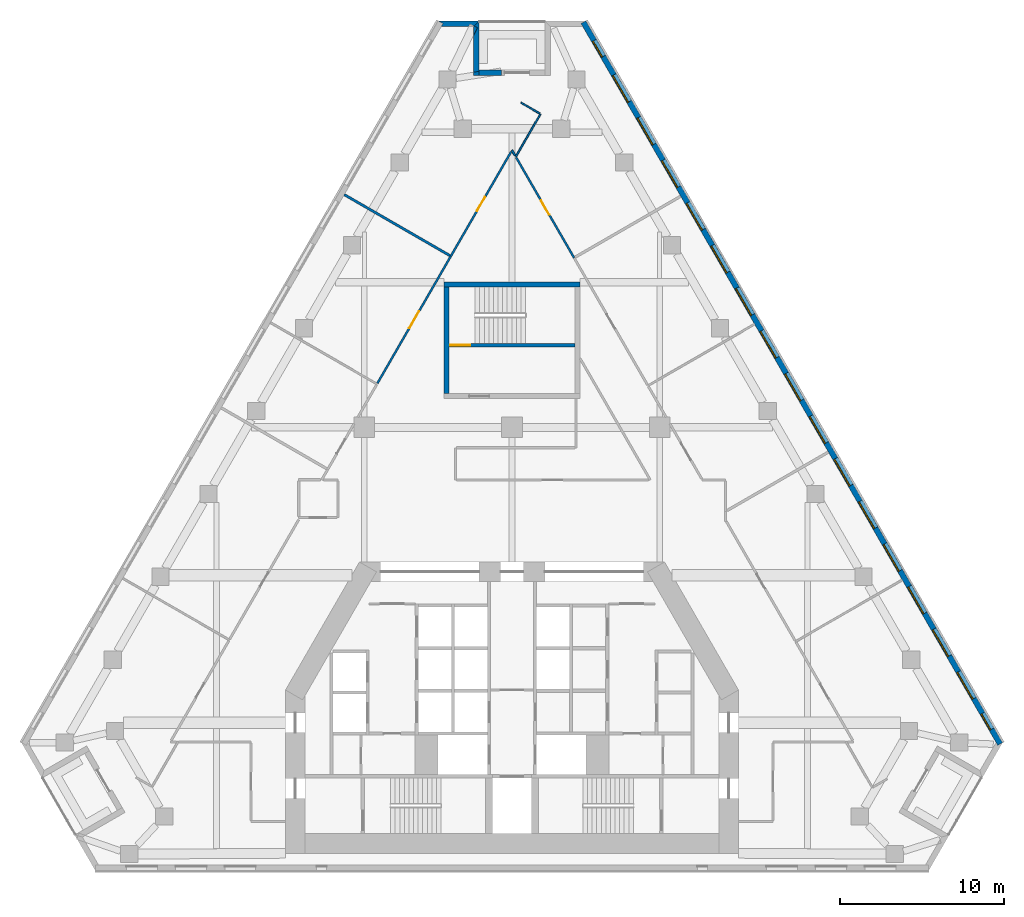
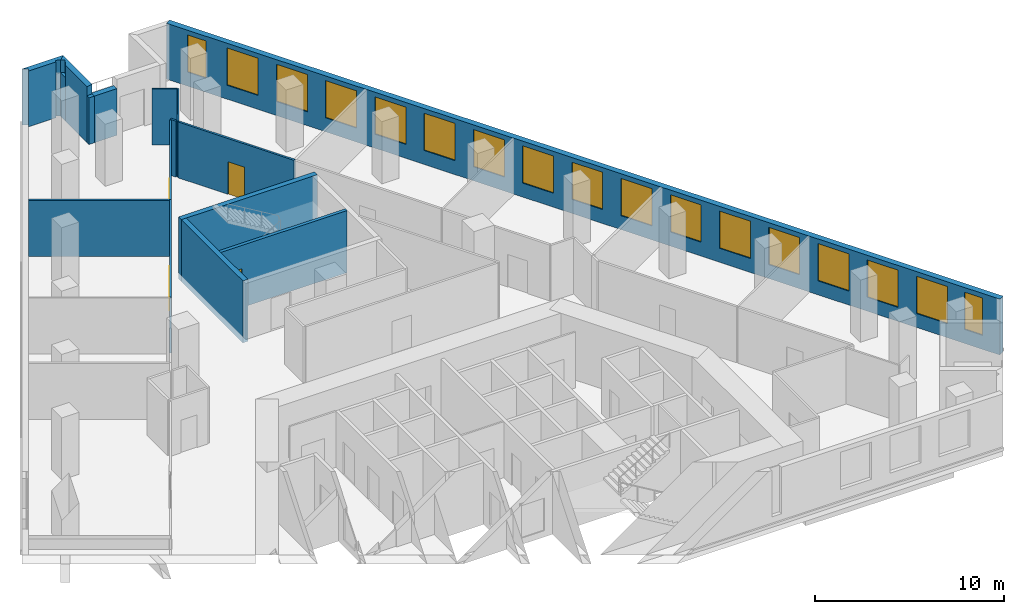
# One storey, part 8 of 10: 17 windows, 16 walls, 4 doors, 21 openings.
"""IFC4 building model written with IfcOpenShell, lengths in metres."""

import ifcopenshell
import ifcopenshell.guid

model = None  # the IFC model being written
_history = None  # IfcOwnerHistory: only IFC2X3 demands one
_inside = {}  # id of a spatial element -> (the spatial element, [elements in it])
_under = {}  # id of a project, library or spatial element -> (it, [spatial elements below it])
_declared = {}  # id of a project -> (the project, [libraries it declares])
_typed = {}  # id of a type object -> (the type object, [elements of that type])
_made_of = {}  # id of a material, layer set ... -> (it, [elements and type objects made of it])


def new_model(schema):
    """Start an empty IFC model of exactly this schema.

    Asked for "IFC4X3", IfcOpenShell would pick the latest addendum, in which some entities
    have other attributes; the version numbers below select the first issue.
    IFC2X3 requires an IfcOwnerHistory on every rooted entity: one is made here for all.
    """
    global model, _history
    if schema == "IFC4X3":
        model = ifcopenshell.file(schema_version=(4, 3, 0, 0))
    else:
        model = ifcopenshell.file(schema=schema)
    _inside.clear()
    _under.clear()
    _declared.clear()
    _typed.clear()
    _made_of.clear()
    _history = None
    if model.schema == "IFC2X3":
        org = make("IfcOrganization", Name="unknown")
        user = make(
            "IfcPersonAndOrganization",
            ThePerson=make("IfcPerson", FamilyName="unknown"),
            TheOrganization=org,
        )
        app = make(
            "IfcApplication",
            ApplicationDeveloper=org,
            Version="unknown",
            ApplicationFullName="unknown",
            ApplicationIdentifier="unknown",
        )
        _history = make(
            "IfcOwnerHistory",
            OwningUser=user,
            OwningApplication=app,
            ChangeAction="ADDED",
            CreationDate=0,
        )
    return model


def make(cls, **values):
    """One entity of the class cls with the attributes given. An attribute that is None is left unset."""
    return model.create_entity(
        cls, **{name: value for name, value in values.items() if value is not None}
    )


def rooted(cls, **values):
    """An entity with a GlobalId (a new one), such as an element, a storey or a relation."""
    return make(cls, GlobalId=ifcopenshell.guid.new(), OwnerHistory=_history, **values)


def si_unit(unit_type, name, prefix=None):
    """IfcSIUnit, for example si_unit("LENGTHUNIT", "METRE", prefix="MILLI")."""
    return make("IfcSIUnit", UnitType=unit_type, Prefix=prefix, Name=name)


def assignment(units):
    """IfcUnitAssignment: the units of a project."""
    return None if units is None else make("IfcUnitAssignment", Units=units)


def point(xyz):
    """IfcCartesianPoint."""
    return None if xyz is None else make("IfcCartesianPoint", Coordinates=xyz)


def direction(xyz):
    """IfcDirection."""
    return None if xyz is None else make("IfcDirection", DirectionRatios=xyz)


def frame(location, z_axis=None, x_axis=None):
    """IfcAxis2Placement3D, a coordinate frame: its origin and axes. An axis left out is left unset."""
    return make(
        "IfcAxis2Placement3D",
        Location=point(location),
        Axis=direction(z_axis),
        RefDirection=direction(x_axis),
    )


def frame_2d(location, x_axis=None):
    """IfcAxis2Placement2D, a coordinate frame in the plane: its origin and x axis."""
    return make(
        "IfcAxis2Placement2D", Location=point(location), RefDirection=direction(x_axis)
    )


def origin():
    """The frame at (0, 0, 0) with its axes left unset."""
    return frame((0.0, 0.0, 0.0))


def place(relative_to, where):
    """IfcLocalPlacement: puts the frame where relative to a parent placement (None: the world)."""
    return make(
        "IfcLocalPlacement", PlacementRelTo=relative_to, RelativePlacement=where
    )


def context(
    kind, dimensions, precision=None, world=None, true_north=None, identifier=None
):
    """IfcGeometricRepresentationContext, for example the 3D "Model" context."""
    return make(
        "IfcGeometricRepresentationContext",
        ContextIdentifier=identifier,
        ContextType=kind,
        CoordinateSpaceDimension=dimensions,
        Precision=precision,
        WorldCoordinateSystem=world,
        TrueNorth=true_north,
    )


def subcontext(parent, identifier, kind, view, scale=None):
    """IfcGeometricRepresentationSubContext, for example "Body" below "Model"."""
    return make(
        "IfcGeometricRepresentationSubContext",
        ContextIdentifier=identifier,
        ContextType=kind,
        ParentContext=parent,
        TargetScale=scale,
        TargetView=view,
    )


def project(units=None, contexts=None):
    """IfcProject with its units and contexts."""
    return rooted(
        "IfcProject",
        Name="project",
        RepresentationContexts=contexts,
        UnitsInContext=assignment(units),
    )


def spatial(cls, under=None, at=None, **own):
    """A site, building, storey or space (cls), placed at a placement, below another one or the project."""
    s = rooted(cls, ObjectPlacement=at, **own)
    if under is not None:
        _under.setdefault(under.id(), (under, []))[1].append(s)
    return s


def polyline(points):
    """IfcPolyline through the points."""
    return make("IfcPolyline", Points=[point(p) for p in points])


def profile(cls, at=None, kind="AREA", **sizes):
    """A parametric profile (cls). Its sizes go by their IFC names, for example OverallWidth=200.0."""
    return make(cls, ProfileType=kind, Position=at, **sizes)


def rectangle(**sizes):
    """IfcRectangleProfileDef."""
    return profile("IfcRectangleProfileDef", **sizes)


def outline(outer, holes=None, kind="AREA"):
    """IfcArbitraryClosedProfileDef: a profile drawn as a closed curve; with holes, ...WithVoids."""
    if holes is None:
        return make("IfcArbitraryClosedProfileDef", ProfileType=kind, OuterCurve=outer)
    return make(
        "IfcArbitraryProfileDefWithVoids",
        ProfileType=kind,
        OuterCurve=outer,
        InnerCurves=holes,
    )


def extrude(swept, where, along, depth):
    """IfcExtrudedAreaSolid: the profile swept, set in the frame where, extruded along a direction by depth."""
    return make(
        "IfcExtrudedAreaSolid",
        SweptArea=swept,
        Position=where,
        ExtrudedDirection=direction(along),
        Depth=depth,
    )


def shape(context_of_items, identifier, shape_type, items):
    """IfcShapeRepresentation: the items that make up one representation, for example the "Body"."""
    return make(
        "IfcShapeRepresentation",
        ContextOfItems=context_of_items,
        RepresentationIdentifier=identifier,
        RepresentationType=shape_type,
        Items=items,
    )


def material(Name=None, Category=None):
    """IfcMaterial."""
    return make("IfcMaterial", Name=Name, Category=Category)


def layer(
    of_material, thickness, ventilated=None, Name=None, Category=None, Priority=None
):
    """IfcMaterialLayer: one layer of a wall or slab, of a material (None: an air gap)."""
    return make(
        "IfcMaterialLayer",
        Material=of_material,
        LayerThickness=thickness,
        IsVentilated=ventilated,
        Name=Name,
        Category=Category,
        Priority=Priority,
    )


def layer_set(layers, Name=None):
    """IfcMaterialLayerSet."""
    return make("IfcMaterialLayerSet", MaterialLayers=layers, LayerSetName=Name)


def made_of(thing, what):
    """Note that an element or type object is made of a material, layer set ...; save() writes the relation."""
    if what is not None:
        _made_of.setdefault(what.id(), (what, []))[1].append(thing)
    return thing


def type_object(cls, material=None, **own):
    """A type object (cls), such as IfcWallType, which elements share."""
    return made_of(rooted(cls, **own), material)


def element(
    cls,
    number,
    at=None,
    inside=None,
    cuts=None,
    type_object=None,
    material=None,
    context=None,
    identifier="Body",
    shape_type=None,
    held_by="IfcProductDefinitionShape",
    body=None,
    shapes=None,
    **own,
):
    """One element of the class cls, such as IfcWall. Its Tag is "e" and its number.

    at: its placement. inside: the storey or other place that contains it. cuts: it is an
    opening in that element (IfcRelVoidsElement). A single representation is given by context,
    identifier, shape_type and body (its items); several are given by shapes. held_by: the class
    of the entity that holds the representations. save() writes the other relations.
    """
    e = rooted(cls, Tag="e%d" % number, ObjectPlacement=at, **own)
    if body is not None:
        shapes = [shape(context, identifier, shape_type, body)]
    if shapes is not None:
        e.Representation = make(held_by, Representations=shapes)
    if inside is not None:
        _inside.setdefault(inside.id(), (inside, []))[1].append(e)
    if cuts is not None:
        rooted(
            "IfcRelVoidsElement", RelatingBuildingElement=cuts, RelatedOpeningElement=e
        )
    if type_object is not None:
        _typed.setdefault(type_object.id(), (type_object, []))[1].append(e)
    return made_of(e, material)


def fill(opening, filler):
    """IfcRelFillsElement: the door or window that sits in an opening."""
    return rooted(
        "IfcRelFillsElement",
        RelatingOpeningElement=opening,
        RelatedBuildingElement=filler,
    )


def aggregate(whole, parts):
    """IfcRelAggregates: a whole, such as a stair, and the parts it consists of."""
    return rooted("IfcRelAggregates", RelatingObject=whole, RelatedObjects=parts)


def save(model, path):
    """Write the relations noted so far, then the file.

    IfcRelAggregates (storeys below a building ...), IfcRelContainedInSpatialStructure (elements
    in a storey), IfcRelDefinesByType, IfcRelAssociatesMaterial and IfcRelDeclares: one each for
    every whole, place, type object, material and project.
    """
    for whole, parts in _under.values():
        aggregate(whole, parts)
    for where, things in _inside.values():
        rooted(
            "IfcRelContainedInSpatialStructure",
            RelatedElements=things,
            RelatingStructure=where,
        )
    for kind, things in _typed.values():
        rooted("IfcRelDefinesByType", RelatedObjects=things, RelatingType=kind)
    for what, things in _made_of.values():
        rooted("IfcRelAssociatesMaterial", RelatedObjects=things, RelatingMaterial=what)
    for by, libraries in _declared.values():
        rooted("IfcRelDeclares", RelatingContext=by, RelatedDefinitions=libraries)
    model.write(path)


model = new_model("IFC4")

# Units and contexts
model_context = context("Model", 3, precision=1e-05, world=origin(), true_north=direction((0.0, 1.0)))
body_context = subcontext(model_context, "Body", "Model", "MODEL_VIEW")
ifc_project = project(units=[si_unit("LENGTHUNIT", "METRE"), si_unit("AREAUNIT", "SQUARE_METRE"), si_unit("VOLUMEUNIT", "CUBIC_METRE"), si_unit("PLANEANGLEUNIT", "RADIAN"), si_unit("MASSUNIT", "GRAM", prefix="KILO")], contexts=[model_context])

# Site, building, storey
site_placement = place(None, origin())
site = spatial("IfcSite", under=ifc_project, at=site_placement, CompositionType="ELEMENT")
building_placement = place(site_placement, origin())
building = spatial("IfcBuilding", under=site, at=building_placement, Name="Fogline Exchange Tower", CompositionType="ELEMENT")
storey_placement = place(building_placement, frame((0.0, 0.0, 128.10009765625)))
storey = spatial("IfcBuildingStorey", under=building, at=storey_placement, Name="L28", CompositionType="ELEMENT", Elevation=128.10009765625)

# Wall, opening, door
ifc_material_1 = material(Name="Concrete C40", Category="concrete")
ifc_layer_1 = layer(ifc_material_1, 0.199951171875)
ifc_layer_set_1 = layer_set([ifc_layer_1], Name="CW20R")
wall_type_1 = type_object("IfcWallType", Name="CW20R", PredefinedType="SOLIDWALL", material=ifc_layer_set_1)
wall_1_placement = place(storey_placement, frame((-3.85009765625, 32.007080078125, -0.400146484375), z_axis=(0.0, 0.0, 1.0), x_axis=(1.0, 0.0, 0.0)))
wall_1 = element("IfcWall", 1, at=wall_1_placement, inside=storey, type_object=wall_type_1, Name="Stair enclosure wall ST3", PredefinedType="SOLIDWALL", context=body_context, shape_type="SweptSolid", body=[
    extrude(rectangle(XDim=7.7001953125, YDim=0.199951171875, at=frame_2d((3.85009765625, 0.0))), origin(), (0.0, 0.0, 1.0), 4.0),
])
opening_1_placement = place(wall_1_placement, frame((0.10009765625, 0.0, 0.39990234375)))
opening_1 = element("IfcOpeningElement", 2, at=opening_1_placement, cuts=wall_1, Name="Opening T08-C024", PredefinedType="OPENING", context=body_context, shape_type="SweptSolid", body=[
    extrude(rectangle(XDim=1.199951171875, YDim=2.10009765625, at=frame_2d((0.60009765625, 1.050048828125))), frame((0.0, 0.10986328125, 0.0), z_axis=(0.0, -1.0, 0.0), x_axis=(1.0, 0.0, 0.0)), (0.0, 0.0, 1.0), 0.219970703125),
])
ifc_material_2 = material(Name="Steel and timber fire door", Category="steel")
door_type_1 = type_object("IfcDoorType", Name="D-ST1", OperationType="SINGLE_SWING_LEFT", PredefinedType="DOOR", material=ifc_material_2)
door_1_placement = place(opening_1_placement, origin())
door_1 = element("IfcDoor", 3, at=door_1_placement, inside=storey, type_object=door_type_1, Name="Stair door ST3", OperationType="SINGLE_SWING_LEFT", OverallHeight=2.10009765625, OverallWidth=1.199951171875, PredefinedType="DOOR", context=body_context, shape_type="SweptSolid", body=[
    extrude(rectangle(XDim=1.199951171875, YDim=2.10009765625, at=frame_2d((0.60009765625, 1.050048828125))), frame((0.0, 0.02490234375, 0.0), z_axis=(0.0, -1.0, 0.0), x_axis=(1.0, 0.0, 0.0)), (0.0, 0.0, 1.0), 0.050048828125),
])
fill(opening_1, door_1)

# Walls
ifc_layer_2 = layer(ifc_material_1, 0.300048828125)
ifc_layer_set_2 = layer_set([ifc_layer_2], Name="CW30")
wall_type_2 = type_object("IfcWallType", Name="CW30", PredefinedType="SOLIDWALL", material=ifc_layer_set_2)
wall_2_placement = place(storey_placement, frame((-4.14990234375, 35.70703125, -0.400146484375), z_axis=(0.0, 0.0, 1.0), x_axis=(1.0, 0.0, 0.0)))
element("IfcWall", 4, at=wall_2_placement, inside=storey, type_object=wall_type_2, Name="Stair enclosure wall ST3", PredefinedType="SOLIDWALL", context=body_context, shape_type="SweptSolid", body=[
    extrude(rectangle(XDim=8.2998046875, YDim=0.300048828125, at=frame_2d((4.14990234375, 0.0))), origin(), (0.0, 0.0, 1.0), 4.0),
])
wall_3_placement = place(storey_placement, frame((-4.0, 29.056884765625, -0.400146484375), z_axis=(0.0, 0.0, 1.0), x_axis=(0.0, 1.0, 0.0)))
element("IfcWall", 5, at=wall_3_placement, inside=storey, type_object=wall_type_2, Name="Stair enclosure wall ST3", PredefinedType="SOLIDWALL", context=body_context, shape_type="SweptSolid", body=[
    extrude(rectangle(XDim=6.5, YDim=0.300048828125, at=frame_2d((3.25, 0.0))), origin(), (0.0, 0.0, 1.0), 4.0),
])

# Wall, openings, windows
ifc_material_3 = material(Name="Brick masonry", Category="masonry")
ifc_layer_3 = layer(ifc_material_3, 0.340087890625)
ifc_layer_set_3 = layer_set([ifc_layer_3], Name="FW1")
wall_type_3 = type_object("IfcWallType", Name="FW1", PredefinedType="SOLIDWALL", material=ifc_layer_set_3)
wall_4_placement = place(storey_placement, frame((29.74609375, 7.709228515625, 0.0), z_axis=(0.0, 0.0, 1.0), x_axis=(-0.500000700546, 0.866024999324, 0.0)))
wall_4 = element("IfcWall", 6, at=wall_4_placement, inside=storey, type_object=wall_type_3, Name="Brick wall L28 E", PredefinedType="SOLIDWALL", context=body_context, shape_type="SweptSolid", body=[
    extrude(rectangle(XDim=50.78662109375, YDim=0.340087890625, at=frame_2d((25.393310546875, 0.0))), origin(), (0.0, 0.0, 1.0), 3.599853515625),
])
opening_2_placement = place(wall_4_placement, frame((3.196533203125, 0.0, 0.89990234375)))
opening_2 = element("IfcOpeningElement", 7, at=opening_2_placement, cuts=wall_4, Name="Opening W1", PredefinedType="OPENING", context=body_context, shape_type="SweptSolid", body=[
    extrude(rectangle(XDim=1.885009765625, YDim=2.39990234375, at=frame_2d((0.9423828125, 1.199951171875))), frame((0.0, 0.18017578125, 0.0), z_axis=(0.0, -1.0, 0.0), x_axis=(1.0, 0.0, 0.0)), (0.0, 0.0, 1.0), 0.360107421875),
])
opening_3_placement = place(wall_4_placement, frame((6.196533203125, 0.0, 0.89990234375)))
opening_3 = element("IfcOpeningElement", 8, at=opening_3_placement, cuts=wall_4, Name="Opening W1", PredefinedType="OPENING", context=body_context, shape_type="SweptSolid", body=[
    extrude(rectangle(XDim=1.885009765625, YDim=2.39990234375, at=frame_2d((0.9423828125, 1.199951171875))), frame((0.0, 0.18017578125, 0.0), z_axis=(0.0, -1.0, 0.0), x_axis=(1.0, 0.0, 0.0)), (0.0, 0.0, 1.0), 0.360107421875),
])
opening_4_placement = place(wall_4_placement, frame((9.196533203125, 0.0, 0.89990234375)))
opening_4 = element("IfcOpeningElement", 9, at=opening_4_placement, cuts=wall_4, Name="Opening W1", PredefinedType="OPENING", context=body_context, shape_type="SweptSolid", body=[
    extrude(rectangle(XDim=1.885009765625, YDim=2.39990234375, at=frame_2d((0.9423828125, 1.199951171875))), frame((0.0, 0.18017578125, 0.0), z_axis=(0.0, -1.0, 0.0), x_axis=(1.0, 0.0, 0.0)), (0.0, 0.0, 1.0), 0.360107421875),
])
opening_5_placement = place(wall_4_placement, frame((12.196533203125, 0.0, 0.89990234375)))
opening_5 = element("IfcOpeningElement", 10, at=opening_5_placement, cuts=wall_4, Name="Opening W1", PredefinedType="OPENING", context=body_context, shape_type="SweptSolid", body=[
    extrude(rectangle(XDim=1.885009765625, YDim=2.39990234375, at=frame_2d((0.9423828125, 1.199951171875))), frame((0.0, 0.18017578125, 0.0), z_axis=(0.0, -1.0, 0.0), x_axis=(1.0, 0.0, 0.0)), (0.0, 0.0, 1.0), 0.360107421875),
])
opening_6_placement = place(wall_4_placement, frame((15.196533203125, 0.0, 0.89990234375)))
opening_6 = element("IfcOpeningElement", 11, at=opening_6_placement, cuts=wall_4, Name="Opening W1", PredefinedType="OPENING", context=body_context, shape_type="SweptSolid", body=[
    extrude(rectangle(XDim=1.885009765625, YDim=2.39990234375, at=frame_2d((0.9423828125, 1.199951171875))), frame((0.0, 0.18017578125, 0.0), z_axis=(0.0, -1.0, 0.0), x_axis=(1.0, 0.0, 0.0)), (0.0, 0.0, 1.0), 0.360107421875),
])
opening_7_placement = place(wall_4_placement, frame((18.196533203125, 0.0, 0.89990234375)))
opening_7 = element("IfcOpeningElement", 12, at=opening_7_placement, cuts=wall_4, Name="Opening W1", PredefinedType="OPENING", context=body_context, shape_type="SweptSolid", body=[
    extrude(rectangle(XDim=1.885009765625, YDim=2.39990234375, at=frame_2d((0.9423828125, 1.199951171875))), frame((0.0, 0.18017578125, 0.0), z_axis=(0.0, -1.0, 0.0), x_axis=(1.0, 0.0, 0.0)), (0.0, 0.0, 1.0), 0.360107421875),
])
opening_8_placement = place(wall_4_placement, frame((21.196533203125, 0.0, 0.89990234375)))
opening_8 = element("IfcOpeningElement", 13, at=opening_8_placement, cuts=wall_4, Name="Opening W1", PredefinedType="OPENING", context=body_context, shape_type="SweptSolid", body=[
    extrude(rectangle(XDim=1.885009765625, YDim=2.39990234375, at=frame_2d((0.9423828125, 1.199951171875))), frame((0.0, 0.18017578125, 0.0), z_axis=(0.0, -1.0, 0.0), x_axis=(1.0, 0.0, 0.0)), (0.0, 0.0, 1.0), 0.360107421875),
])
opening_9_placement = place(wall_4_placement, frame((24.196533203125, 0.0, 0.89990234375)))
opening_9 = element("IfcOpeningElement", 14, at=opening_9_placement, cuts=wall_4, Name="Opening W1", PredefinedType="OPENING", context=body_context, shape_type="SweptSolid", body=[
    extrude(rectangle(XDim=1.885009765625, YDim=2.39990234375, at=frame_2d((0.9423828125, 1.199951171875))), frame((0.0, 0.18017578125, 0.0), z_axis=(0.0, -1.0, 0.0), x_axis=(1.0, 0.0, 0.0)), (0.0, 0.0, 1.0), 0.360107421875),
])
opening_10_placement = place(wall_4_placement, frame((27.196533203125, 0.0, 0.89990234375)))
opening_10 = element("IfcOpeningElement", 15, at=opening_10_placement, cuts=wall_4, Name="Opening W1", PredefinedType="OPENING", context=body_context, shape_type="SweptSolid", body=[
    extrude(rectangle(XDim=1.885009765625, YDim=2.39990234375, at=frame_2d((0.9423828125, 1.199951171875))), frame((0.0, 0.18017578125, 0.0), z_axis=(0.0, -1.0, 0.0), x_axis=(1.0, 0.0, 0.0)), (0.0, 0.0, 1.0), 0.360107421875),
])
opening_11_placement = place(wall_4_placement, frame((30.196533203125, 0.0, 0.89990234375)))
opening_11 = element("IfcOpeningElement", 16, at=opening_11_placement, cuts=wall_4, Name="Opening W1", PredefinedType="OPENING", context=body_context, shape_type="SweptSolid", body=[
    extrude(rectangle(XDim=1.885009765625, YDim=2.39990234375, at=frame_2d((0.9423828125, 1.199951171875))), frame((0.0, 0.18017578125, 0.0), z_axis=(0.0, -1.0, 0.0), x_axis=(1.0, 0.0, 0.0)), (0.0, 0.0, 1.0), 0.360107421875),
])
opening_12_placement = place(wall_4_placement, frame((33.196533203125, 0.0, 0.89990234375)))
opening_12 = element("IfcOpeningElement", 17, at=opening_12_placement, cuts=wall_4, Name="Opening W1", PredefinedType="OPENING", context=body_context, shape_type="SweptSolid", body=[
    extrude(rectangle(XDim=1.885009765625, YDim=2.39990234375, at=frame_2d((0.9423828125, 1.199951171875))), frame((0.0, 0.18017578125, 0.0), z_axis=(0.0, -1.0, 0.0), x_axis=(1.0, 0.0, 0.0)), (0.0, 0.0, 1.0), 0.360107421875),
])
opening_13_placement = place(wall_4_placement, frame((36.196533203125, 0.0, 0.89990234375)))
opening_13 = element("IfcOpeningElement", 18, at=opening_13_placement, cuts=wall_4, Name="Opening W1", PredefinedType="OPENING", context=body_context, shape_type="SweptSolid", body=[
    extrude(rectangle(XDim=1.885009765625, YDim=2.39990234375, at=frame_2d((0.9423828125, 1.199951171875))), frame((0.0, 0.18017578125, 0.0), z_axis=(0.0, -1.0, 0.0), x_axis=(1.0, 0.0, 0.0)), (0.0, 0.0, 1.0), 0.360107421875),
])
opening_14_placement = place(wall_4_placement, frame((39.196533203125, 0.0, 0.89990234375)))
opening_14 = element("IfcOpeningElement", 19, at=opening_14_placement, cuts=wall_4, Name="Opening W1", PredefinedType="OPENING", context=body_context, shape_type="SweptSolid", body=[
    extrude(rectangle(XDim=1.885009765625, YDim=2.39990234375, at=frame_2d((0.9423828125, 1.199951171875))), frame((0.0, 0.18017578125, 0.0), z_axis=(0.0, -1.0, 0.0), x_axis=(1.0, 0.0, 0.0)), (0.0, 0.0, 1.0), 0.360107421875),
])
opening_15_placement = place(wall_4_placement, frame((42.196533203125, 0.0, 0.89990234375)))
opening_15 = element("IfcOpeningElement", 20, at=opening_15_placement, cuts=wall_4, Name="Opening W1", PredefinedType="OPENING", context=body_context, shape_type="SweptSolid", body=[
    extrude(rectangle(XDim=1.885009765625, YDim=2.39990234375, at=frame_2d((0.9423828125, 1.199951171875))), frame((0.0, 0.18017578125, 0.0), z_axis=(0.0, -1.0, 0.0), x_axis=(1.0, 0.0, 0.0)), (0.0, 0.0, 1.0), 0.360107421875),
])
opening_16_placement = place(wall_4_placement, frame((45.196533203125, 0.0, 0.89990234375)))
opening_16 = element("IfcOpeningElement", 21, at=opening_16_placement, cuts=wall_4, Name="Opening W1", PredefinedType="OPENING", context=body_context, shape_type="SweptSolid", body=[
    extrude(rectangle(XDim=1.885009765625, YDim=2.39990234375, at=frame_2d((0.9423828125, 1.199951171875))), frame((0.0, 0.18017578125, 0.0), z_axis=(0.0, -1.0, 0.0), x_axis=(1.0, 0.0, 0.0)), (0.0, 0.0, 1.0), 0.360107421875),
])
opening_17_placement = place(wall_4_placement, frame((1.040771484375, 0.0, 0.89990234375)))
opening_17 = element("IfcOpeningElement", 22, at=opening_17_placement, cuts=wall_4, Name="Opening W4", PredefinedType="OPENING", context=body_context, shape_type="SweptSolid", body=[
    extrude(rectangle(XDim=1.114990234375, YDim=2.39990234375, at=frame_2d((0.5576171875, 1.199951171875))), frame((0.0, 0.18017578125, 0.0), z_axis=(0.0, -1.0, 0.0), x_axis=(1.0, 0.0, 0.0)), (0.0, 0.0, 1.0), 0.360107421875),
])
opening_18_placement = place(wall_4_placement, frame((48.37646484375, 0.0, 0.89990234375)))
opening_18 = element("IfcOpeningElement", 23, at=opening_18_placement, cuts=wall_4, Name="Opening W4", PredefinedType="OPENING", context=body_context, shape_type="SweptSolid", body=[
    extrude(rectangle(XDim=1.114990234375, YDim=2.39990234375, at=frame_2d((0.5576171875, 1.199951171875))), frame((0.0, 0.18017578125, 0.0), z_axis=(0.0, -1.0, 0.0), x_axis=(1.0, 0.0, 0.0)), (0.0, 0.0, 1.0), 0.360107421875),
])
ifc_material_4 = material(Name="Aluminium and glass", Category="aluminium")
window_type_1 = type_object("IfcWindowType", Name="W1", PartitioningType="SINGLE_PANEL", PredefinedType="WINDOW", material=ifc_material_4)
window_1_placement = place(opening_2_placement, origin())
window_1 = element("IfcWindow", 24, at=window_1_placement, inside=storey, type_object=window_type_1, Name="W1 W1", OverallHeight=2.39990234375, OverallWidth=1.885009765625, PartitioningType="SINGLE_PANEL", PredefinedType="WINDOW", context=body_context, shape_type="SweptSolid", body=[
    extrude(rectangle(XDim=1.885009765625, YDim=2.39990234375, at=frame_2d((0.9423828125, 1.199951171875))), frame((0.0, 0.110107421875, 0.0), z_axis=(0.0, -1.0, 0.0), x_axis=(1.0, 0.0, 0.0)), (0.0, 0.0, 1.0), 0.06005859375),
])
fill(opening_2, window_1)
window_2_placement = place(opening_3_placement, origin())
window_2 = element("IfcWindow", 25, at=window_2_placement, inside=storey, type_object=window_type_1, Name="W1 W1", OverallHeight=2.39990234375, OverallWidth=1.885009765625, PartitioningType="SINGLE_PANEL", PredefinedType="WINDOW", context=body_context, shape_type="SweptSolid", body=[
    extrude(rectangle(XDim=1.885009765625, YDim=2.39990234375, at=frame_2d((0.9423828125, 1.199951171875))), frame((0.0, 0.110107421875, 0.0), z_axis=(0.0, -1.0, 0.0), x_axis=(1.0, 0.0, 0.0)), (0.0, 0.0, 1.0), 0.06005859375),
])
fill(opening_3, window_2)
window_3_placement = place(opening_4_placement, origin())
window_3 = element("IfcWindow", 26, at=window_3_placement, inside=storey, type_object=window_type_1, Name="W1 W1", OverallHeight=2.39990234375, OverallWidth=1.885009765625, PartitioningType="SINGLE_PANEL", PredefinedType="WINDOW", context=body_context, shape_type="SweptSolid", body=[
    extrude(rectangle(XDim=1.885009765625, YDim=2.39990234375, at=frame_2d((0.9423828125, 1.199951171875))), frame((0.0, 0.110107421875, 0.0), z_axis=(0.0, -1.0, 0.0), x_axis=(1.0, 0.0, 0.0)), (0.0, 0.0, 1.0), 0.06005859375),
])
fill(opening_4, window_3)
window_4_placement = place(opening_5_placement, origin())
window_4 = element("IfcWindow", 27, at=window_4_placement, inside=storey, type_object=window_type_1, Name="W1 W1", OverallHeight=2.39990234375, OverallWidth=1.885009765625, PartitioningType="SINGLE_PANEL", PredefinedType="WINDOW", context=body_context, shape_type="SweptSolid", body=[
    extrude(rectangle(XDim=1.885009765625, YDim=2.39990234375, at=frame_2d((0.9423828125, 1.199951171875))), frame((0.0, 0.110107421875, 0.0), z_axis=(0.0, -1.0, 0.0), x_axis=(1.0, 0.0, 0.0)), (0.0, 0.0, 1.0), 0.06005859375),
])
fill(opening_5, window_4)
window_5_placement = place(opening_6_placement, origin())
window_5 = element("IfcWindow", 28, at=window_5_placement, inside=storey, type_object=window_type_1, Name="W1 W1", OverallHeight=2.39990234375, OverallWidth=1.885009765625, PartitioningType="SINGLE_PANEL", PredefinedType="WINDOW", context=body_context, shape_type="SweptSolid", body=[
    extrude(rectangle(XDim=1.885009765625, YDim=2.39990234375, at=frame_2d((0.9423828125, 1.199951171875))), frame((0.0, 0.110107421875, 0.0), z_axis=(0.0, -1.0, 0.0), x_axis=(1.0, 0.0, 0.0)), (0.0, 0.0, 1.0), 0.06005859375),
])
fill(opening_6, window_5)
window_6_placement = place(opening_7_placement, origin())
window_6 = element("IfcWindow", 29, at=window_6_placement, inside=storey, type_object=window_type_1, Name="W1 W1", OverallHeight=2.39990234375, OverallWidth=1.885009765625, PartitioningType="SINGLE_PANEL", PredefinedType="WINDOW", context=body_context, shape_type="SweptSolid", body=[
    extrude(rectangle(XDim=1.885009765625, YDim=2.39990234375, at=frame_2d((0.9423828125, 1.199951171875))), frame((0.0, 0.110107421875, 0.0), z_axis=(0.0, -1.0, 0.0), x_axis=(1.0, 0.0, 0.0)), (0.0, 0.0, 1.0), 0.06005859375),
])
fill(opening_7, window_6)
window_7_placement = place(opening_8_placement, origin())
window_7 = element("IfcWindow", 30, at=window_7_placement, inside=storey, type_object=window_type_1, Name="W1 W1", OverallHeight=2.39990234375, OverallWidth=1.885009765625, PartitioningType="SINGLE_PANEL", PredefinedType="WINDOW", context=body_context, shape_type="SweptSolid", body=[
    extrude(rectangle(XDim=1.885009765625, YDim=2.39990234375, at=frame_2d((0.9423828125, 1.199951171875))), frame((0.0, 0.110107421875, 0.0), z_axis=(0.0, -1.0, 0.0), x_axis=(1.0, 0.0, 0.0)), (0.0, 0.0, 1.0), 0.06005859375),
])
fill(opening_8, window_7)
window_8_placement = place(opening_9_placement, origin())
window_8 = element("IfcWindow", 31, at=window_8_placement, inside=storey, type_object=window_type_1, Name="W1 W1", OverallHeight=2.39990234375, OverallWidth=1.885009765625, PartitioningType="SINGLE_PANEL", PredefinedType="WINDOW", context=body_context, shape_type="SweptSolid", body=[
    extrude(rectangle(XDim=1.885009765625, YDim=2.39990234375, at=frame_2d((0.9423828125, 1.199951171875))), frame((0.0, 0.110107421875, 0.0), z_axis=(0.0, -1.0, 0.0), x_axis=(1.0, 0.0, 0.0)), (0.0, 0.0, 1.0), 0.06005859375),
])
fill(opening_9, window_8)
window_9_placement = place(opening_10_placement, origin())
window_9 = element("IfcWindow", 32, at=window_9_placement, inside=storey, type_object=window_type_1, Name="W1 W1", OverallHeight=2.39990234375, OverallWidth=1.885009765625, PartitioningType="SINGLE_PANEL", PredefinedType="WINDOW", context=body_context, shape_type="SweptSolid", body=[
    extrude(rectangle(XDim=1.885009765625, YDim=2.39990234375, at=frame_2d((0.9423828125, 1.199951171875))), frame((0.0, 0.110107421875, 0.0), z_axis=(0.0, -1.0, 0.0), x_axis=(1.0, 0.0, 0.0)), (0.0, 0.0, 1.0), 0.06005859375),
])
fill(opening_10, window_9)
window_10_placement = place(opening_11_placement, origin())
window_10 = element("IfcWindow", 33, at=window_10_placement, inside=storey, type_object=window_type_1, Name="W1 W1", OverallHeight=2.39990234375, OverallWidth=1.885009765625, PartitioningType="SINGLE_PANEL", PredefinedType="WINDOW", context=body_context, shape_type="SweptSolid", body=[
    extrude(rectangle(XDim=1.885009765625, YDim=2.39990234375, at=frame_2d((0.9423828125, 1.199951171875))), frame((0.0, 0.110107421875, 0.0), z_axis=(0.0, -1.0, 0.0), x_axis=(1.0, 0.0, 0.0)), (0.0, 0.0, 1.0), 0.06005859375),
])
fill(opening_11, window_10)
window_11_placement = place(opening_12_placement, origin())
window_11 = element("IfcWindow", 34, at=window_11_placement, inside=storey, type_object=window_type_1, Name="W1 W1", OverallHeight=2.39990234375, OverallWidth=1.885009765625, PartitioningType="SINGLE_PANEL", PredefinedType="WINDOW", context=body_context, shape_type="SweptSolid", body=[
    extrude(rectangle(XDim=1.885009765625, YDim=2.39990234375, at=frame_2d((0.9423828125, 1.199951171875))), frame((0.0, 0.110107421875, 0.0), z_axis=(0.0, -1.0, 0.0), x_axis=(1.0, 0.0, 0.0)), (0.0, 0.0, 1.0), 0.06005859375),
])
fill(opening_12, window_11)
window_12_placement = place(opening_13_placement, origin())
window_12 = element("IfcWindow", 35, at=window_12_placement, inside=storey, type_object=window_type_1, Name="W1 W1", OverallHeight=2.39990234375, OverallWidth=1.885009765625, PartitioningType="SINGLE_PANEL", PredefinedType="WINDOW", context=body_context, shape_type="SweptSolid", body=[
    extrude(rectangle(XDim=1.885009765625, YDim=2.39990234375, at=frame_2d((0.9423828125, 1.199951171875))), frame((0.0, 0.110107421875, 0.0), z_axis=(0.0, -1.0, 0.0), x_axis=(1.0, 0.0, 0.0)), (0.0, 0.0, 1.0), 0.06005859375),
])
fill(opening_13, window_12)
window_13_placement = place(opening_14_placement, origin())
window_13 = element("IfcWindow", 36, at=window_13_placement, inside=storey, type_object=window_type_1, Name="W1 W1", OverallHeight=2.39990234375, OverallWidth=1.885009765625, PartitioningType="SINGLE_PANEL", PredefinedType="WINDOW", context=body_context, shape_type="SweptSolid", body=[
    extrude(rectangle(XDim=1.885009765625, YDim=2.39990234375, at=frame_2d((0.9423828125, 1.199951171875))), frame((0.0, 0.110107421875, 0.0), z_axis=(0.0, -1.0, 0.0), x_axis=(1.0, 0.0, 0.0)), (0.0, 0.0, 1.0), 0.06005859375),
])
fill(opening_14, window_13)
window_14_placement = place(opening_15_placement, origin())
window_14 = element("IfcWindow", 37, at=window_14_placement, inside=storey, type_object=window_type_1, Name="W1 W1", OverallHeight=2.39990234375, OverallWidth=1.885009765625, PartitioningType="SINGLE_PANEL", PredefinedType="WINDOW", context=body_context, shape_type="SweptSolid", body=[
    extrude(rectangle(XDim=1.885009765625, YDim=2.39990234375, at=frame_2d((0.9423828125, 1.199951171875))), frame((0.0, 0.110107421875, 0.0), z_axis=(0.0, -1.0, 0.0), x_axis=(1.0, 0.0, 0.0)), (0.0, 0.0, 1.0), 0.06005859375),
])
fill(opening_15, window_14)
window_15_placement = place(opening_16_placement, origin())
window_15 = element("IfcWindow", 38, at=window_15_placement, inside=storey, type_object=window_type_1, Name="W1 W1", OverallHeight=2.39990234375, OverallWidth=1.885009765625, PartitioningType="SINGLE_PANEL", PredefinedType="WINDOW", context=body_context, shape_type="SweptSolid", body=[
    extrude(rectangle(XDim=1.885009765625, YDim=2.39990234375, at=frame_2d((0.9423828125, 1.199951171875))), frame((0.0, 0.110107421875, 0.0), z_axis=(0.0, -1.0, 0.0), x_axis=(1.0, 0.0, 0.0)), (0.0, 0.0, 1.0), 0.06005859375),
])
fill(opening_16, window_15)
window_type_2 = type_object("IfcWindowType", Name="W4", PartitioningType="SINGLE_PANEL", PredefinedType="WINDOW", material=ifc_material_4)
window_16_placement = place(opening_17_placement, origin())
window_16 = element("IfcWindow", 39, at=window_16_placement, inside=storey, type_object=window_type_2, Name="W4 W4", OverallHeight=2.39990234375, OverallWidth=1.114990234375, PartitioningType="SINGLE_PANEL", PredefinedType="WINDOW", context=body_context, shape_type="SweptSolid", body=[
    extrude(rectangle(XDim=1.114990234375, YDim=2.39990234375, at=frame_2d((0.5576171875, 1.199951171875))), frame((0.0, 0.110107421875, 0.0), z_axis=(0.0, -1.0, 0.0), x_axis=(1.0, 0.0, 0.0)), (0.0, 0.0, 1.0), 0.06005859375),
])
fill(opening_17, window_16)
window_17_placement = place(opening_18_placement, origin())
window_17 = element("IfcWindow", 40, at=window_17_placement, inside=storey, type_object=window_type_2, Name="W4 W4", OverallHeight=2.39990234375, OverallWidth=1.114990234375, PartitioningType="SINGLE_PANEL", PredefinedType="WINDOW", context=body_context, shape_type="SweptSolid", body=[
    extrude(rectangle(XDim=1.114990234375, YDim=2.39990234375, at=frame_2d((0.5576171875, 1.199951171875))), frame((0.0, 0.110107421875, 0.0), z_axis=(0.0, -1.0, 0.0), x_axis=(1.0, 0.0, 0.0)), (0.0, 0.0, 1.0), 0.06005859375),
])
fill(opening_18, window_17)

# Walls
wall_5_placement = place(storey_placement, frame((-0.64404296875, 48.606689453125, 0.0), z_axis=(0.0, 0.0, 1.0), x_axis=(-1.0, 0.0, 0.0)))
element("IfcWall", 41, at=wall_5_placement, inside=storey, type_object=wall_type_3, Name="Brick wall L28 N-bk", PredefinedType="SOLIDWALL", context=body_context, shape_type="SweptSolid", body=[
    extrude(rectangle(XDim=1.35595703125, YDim=0.340087890625, at=frame_2d((0.677978515625, 0.0))), origin(), (0.0, 0.0, 1.0), 3.0),
])
wall_6_placement = place(storey_placement, origin())
element("IfcWall", 42, at=wall_6_placement, inside=storey, type_object=wall_type_3, Name="Brick wall L28 N-s2", PredefinedType="SOLIDWALL", context=body_context, shape_type="SweptSolid", body=[
    extrude(outline(polyline([(-2.340576171875, 51.43701171875), (-2.320556640625, 51.45703125), (-2.114990234375, 51.357421875), (-2.340576171875, 50.891357421875), (-2.340576171875, 51.43701171875)])), origin(), (0.0, 0.0, 1.0), 2.7998046875),
])
wall_7_placement = place(storey_placement, origin())
element("IfcWall", 43, at=wall_7_placement, inside=storey, type_object=wall_type_3, Name="Brick wall L28 N-s2", PredefinedType="SOLIDWALL", context=body_context, shape_type="SweptSolid", body=[
    extrude(outline(polyline([(-2.340576171875, 48.43603515625), (-2.340576171875, 48.644287109375), (-1.99951171875, 48.697265625), (-1.99951171875, 48.43603515625), (-2.340576171875, 48.43603515625)])), origin(), (0.0, 0.0, 1.0), 3.0),
])
wall_8_placement = place(storey_placement, origin())
element("IfcWall", 44, at=wall_8_placement, inside=storey, type_object=wall_type_3, Name="Brick wall L28 N-s2", PredefinedType="SOLIDWALL", context=body_context, shape_type="SweptSolid", body=[
    extrude(outline(polyline([(-2.340576171875, 50.891357421875), (-2.114990234375, 51.357421875), (-2.320556640625, 51.45703125), (-1.999755859375, 51.77783203125), (-1.99951171875, 51.777587890625), (-1.99951171875, 48.697265625), (-2.340576171875, 48.644287109375), (-2.340576171875, 50.891357421875)])), origin(), (0.0, 0.0, 1.0), 3.599853515625),
])
wall_9_placement = place(storey_placement, origin())
element("IfcWall", 45, at=wall_9_placement, inside=storey, type_object=wall_type_3, Name="Brick wall L28 N-c2", PredefinedType="SOLIDWALL", context=body_context, shape_type="SweptSolid", body=[
    extrude(outline(polyline([(-4.206298828125, 51.6064453125), (-4.501220703125, 51.776611328125), (-4.5009765625, 51.77734375), (-1.9990234375, 51.77734375), (-1.998779296875, 51.77685546875), (-2.3193359375, 51.456298828125), (-2.56494140625, 51.5751953125), (-2.63232421875, 51.43603515625), (-4.3046875, 51.43603515625), (-4.206298828125, 51.6064453125)])), origin(), (0.0, 0.0, 1.0), 3.599853515625),
])
ifc_material_5 = material(Name="Plasterboard partition, 2 layers each side on steel studs", Category="steel")
ifc_layer_4 = layer(ifc_material_5, 0.10009765625)
ifc_layer_set_4 = layer_set([ifc_layer_4], Name="PW1")
wall_type_4 = type_object("IfcWallType", Name="PW1", PredefinedType="PARTITIONING", material=ifc_layer_set_4)
wall_10_placement = place(storey_placement, frame((0.23095703125, 43.490966796875, 0.0), z_axis=(0.0, 0.0, 1.0), x_axis=(0.499979445284, 0.86603727073, 0.0)))
element("IfcWall", 46, at=wall_10_placement, inside=storey, type_object=wall_type_4, Name="wall-L28-W037", PredefinedType="PARTITIONING", context=body_context, shape_type="SweptSolid", body=[
    extrude(rectangle(XDim=3.015380859375, YDim=0.10009765625, at=frame_2d((1.5078125, 0.0))), origin(), (0.0, 0.0, 1.0), 3.599853515625),
])
wall_11_placement = place(storey_placement, frame((1.6953125, 46.127197265625, 0.0), z_axis=(0.0, 0.0, 1.0), x_axis=(-0.866059217203, 0.499941428866, 0.0)))
element("IfcWall", 47, at=wall_11_placement, inside=storey, type_object=wall_type_4, Name="wall-L28-W038", PredefinedType="PARTITIONING", context=body_context, shape_type="SweptSolid", body=[
    extrude(rectangle(XDim=1.319091796875, YDim=0.10009765625, at=frame_2d((0.65966796875, 0.0))), origin(), (0.0, 0.0, 1.0), 3.599853515625),
])

# Wall, opening, door
ifc_material_6 = material(Name="Plasterboard corridor partition with mineral wool, 2 layers each side")
ifc_layer_5 = layer(ifc_material_6, 0.125)
ifc_layer_set_5 = layer_set([ifc_layer_5], Name="PW2")
wall_type_5 = type_object("IfcWallType", Name="PW2", PredefinedType="PARTITIONING", material=ifc_layer_set_5)
wall_12_placement = place(storey_placement, frame((0.252685546875, 43.452880859375, 0.0), z_axis=(0.0, 0.0, 1.0), x_axis=(0.500031657121, -0.866007125766, 0.0)))
wall_12 = element("IfcWall", 48, at=wall_12_placement, inside=storey, type_object=wall_type_5, Name="wall-L28-W015", PredefinedType="PARTITIONING", context=body_context, shape_type="SweptSolid", body=[
    extrude(rectangle(XDim=7.0625, YDim=0.125, at=frame_2d((3.53125, 0.0))), origin(), (0.0, 0.0, 1.0), 3.599853515625),
])
opening_19_placement = place(wall_12_placement, frame((3.03125, 0.0, 0.0)))
opening_19 = element("IfcOpeningElement", 49, at=opening_19_placement, cuts=wall_12, Name="Opening T08-D007", PredefinedType="OPENING", context=body_context, shape_type="SweptSolid", body=[
    extrude(rectangle(XDim=1.0, YDim=2.10009765625, at=frame_2d((0.5, 1.050048828125))), frame((0.0, 0.072509765625, 0.0), z_axis=(0.0, -1.0, 0.0), x_axis=(1.0, 0.0, 0.0)), (0.0, 0.0, 1.0), 0.14501953125),
])
ifc_material_7 = material(Name="Fire-rated timber door leaf with steel frame", Category="steel")
door_type_2 = type_object("IfcDoorType", Name="D3", OperationType="SINGLE_SWING_LEFT", PredefinedType="DOOR", material=ifc_material_7)
door_2_placement = place(opening_19_placement, origin())
door_2 = element("IfcDoor", 50, at=door_2_placement, inside=storey, type_object=door_type_2, Name="door-L28-D007", OperationType="SINGLE_SWING_RIGHT", OverallHeight=2.10009765625, OverallWidth=1.0, PredefinedType="DOOR", context=body_context, shape_type="SweptSolid", body=[
    extrude(rectangle(XDim=1.0, YDim=2.10009765625, at=frame_2d((0.5, 1.050048828125))), frame((0.0, 0.02490234375, 0.0), z_axis=(0.0, -1.0, 0.0), x_axis=(1.0, 0.0, 0.0)), (0.0, 0.0, 1.0), 0.050048828125),
])
fill(opening_19, door_2)

wall_13_placement = place(storey_placement, frame((-3.7265625, 37.436279296875, 0.0), z_axis=(0.0, 0.0, 1.0), x_axis=(0.4999967785, 0.866027263711, 0.0)))
wall_13 = element("IfcWall", 51, at=wall_13_placement, inside=storey, type_object=wall_type_5, Name="wall-L28-W016", PredefinedType="PARTITIONING", context=body_context, shape_type="SweptSolid", body=[
    extrude(rectangle(XDim=7.34423828125, YDim=0.125, at=frame_2d((3.672119140625, 0.0))), origin(), (0.0, 0.0, 1.0), 3.599853515625),
])
opening_20_placement = place(wall_13_placement, frame((3.172119140625, 0.0, 0.0)))
opening_20 = element("IfcOpeningElement", 52, at=opening_20_placement, cuts=wall_13, Name="Opening T08-D008", PredefinedType="OPENING", context=body_context, shape_type="SweptSolid", body=[
    extrude(rectangle(XDim=1.0, YDim=2.10009765625, at=frame_2d((0.5, 1.050048828125))), frame((0.0, 0.072509765625, 0.0), z_axis=(0.0, -1.0, 0.0), x_axis=(1.0, 0.0, 0.0)), (0.0, 0.0, 1.0), 0.14501953125),
])
door_3_placement = place(opening_20_placement, origin())
door_3 = element("IfcDoor", 53, at=door_3_placement, inside=storey, type_object=door_type_2, Name="door-L28-D008", OperationType="SINGLE_SWING_RIGHT", OverallHeight=2.10009765625, OverallWidth=1.0, PredefinedType="DOOR", context=body_context, shape_type="SweptSolid", body=[
    extrude(rectangle(XDim=1.0, YDim=2.10009765625, at=frame_2d((0.5, 1.050048828125))), frame((0.0, 0.02490234375, 0.0), z_axis=(0.0, -1.0, 0.0), x_axis=(1.0, 0.0, 0.0)), (0.0, 0.0, 1.0), 0.050048828125),
])
fill(opening_20, door_3)

# Wall
wall_14_placement = place(storey_placement, frame((0.0, 43.890869140625, 0.0), z_axis=(0.0, 0.0, 1.0), x_axis=(0.50006736263, -0.865986508459, 0.0)))
element("IfcWall", 54, at=wall_14_placement, inside=storey, type_object=wall_type_5, Name="wall-L28-W017", PredefinedType="PARTITIONING", context=body_context, shape_type="SweptSolid", body=[
    extrude(rectangle(XDim=0.36767578125, YDim=0.125, at=frame_2d((0.183837890625, 0.0))), origin(), (0.0, 0.0, 1.0), 3.599853515625),
])

# Wall, opening, door
wall_15_placement = place(storey_placement, frame((-8.201416015625, 29.685791015625, 0.0), z_axis=(0.0, 0.0, 1.0), x_axis=(0.500008968592, 0.866020225704, 0.0)))
wall_15 = element("IfcWall", 55, at=wall_15_placement, inside=storey, type_object=wall_type_5, Name="wall-L28-W018", PredefinedType="PARTITIONING", context=body_context, shape_type="SweptSolid", body=[
    extrude(rectangle(XDim=8.949462890625, YDim=0.125, at=frame_2d((4.474609375, 0.0))), origin(), (0.0, 0.0, 1.0), 3.599853515625),
])
opening_21_placement = place(wall_15_placement, frame((3.874755859375, 0.0, 0.0)))
opening_21 = element("IfcOpeningElement", 56, at=opening_21_placement, cuts=wall_15, Name="Opening T08-D009", PredefinedType="OPENING", context=body_context, shape_type="SweptSolid", body=[
    extrude(rectangle(XDim=1.199951171875, YDim=2.10009765625, at=frame_2d((0.60009765625, 1.050048828125))), frame((0.0, 0.072509765625, 0.0), z_axis=(0.0, -1.0, 0.0), x_axis=(1.0, 0.0, 0.0)), (0.0, 0.0, 1.0), 0.14501953125),
])
ifc_material_8 = material(Name="Fire-rated glazed door leaf with steel frame", Category="steel")
door_type_3 = type_object("IfcDoorType", Name="D5", OperationType="SINGLE_SWING_LEFT", PredefinedType="DOOR", material=ifc_material_8)
door_4_placement = place(opening_21_placement, origin())
door_4 = element("IfcDoor", 57, at=door_4_placement, inside=storey, type_object=door_type_3, Name="door-L28-D009", OperationType="SINGLE_SWING_RIGHT", OverallHeight=2.10009765625, OverallWidth=1.199951171875, PredefinedType="DOOR", context=body_context, shape_type="SweptSolid", body=[
    extrude(rectangle(XDim=1.199951171875, YDim=2.10009765625, at=frame_2d((0.60009765625, 1.050048828125))), frame((0.0, 0.02490234375, 0.0), z_axis=(0.0, -1.0, 0.0), x_axis=(1.0, 0.0, 0.0)), (0.0, 0.0, 1.0), 0.050048828125),
])
fill(opening_21, door_4)

# Wall
ifc_material_9 = material(Name="Plasterboard demising partition with mineral wool and acoustic board")
ifc_layer_6 = layer(ifc_material_9, 0.14990234375)
ifc_layer_set_6 = layer_set([ifc_layer_6], Name="PW3")
wall_type_6 = type_object("IfcWallType", Name="PW3", PredefinedType="PARTITIONING", material=ifc_layer_set_6)
wall_16_placement = place(storey_placement, frame((-3.78076171875, 37.467529296875, 0.0), z_axis=(0.0, 0.0, 1.0), x_axis=(-0.866020497041, 0.500008498633, 0.0)))
element("IfcWall", 58, at=wall_16_placement, inside=storey, type_object=wall_type_6, Name="wall-L28-W039", PredefinedType="PARTITIONING", context=body_context, shape_type="SweptSolid", body=[
    extrude(rectangle(XDim=7.437255859375, YDim=0.14990234375, at=frame_2d((3.71875, 0.0))), origin(), (0.0, 0.0, 1.0), 3.599853515625),
])

save(model, "model.ifc")
